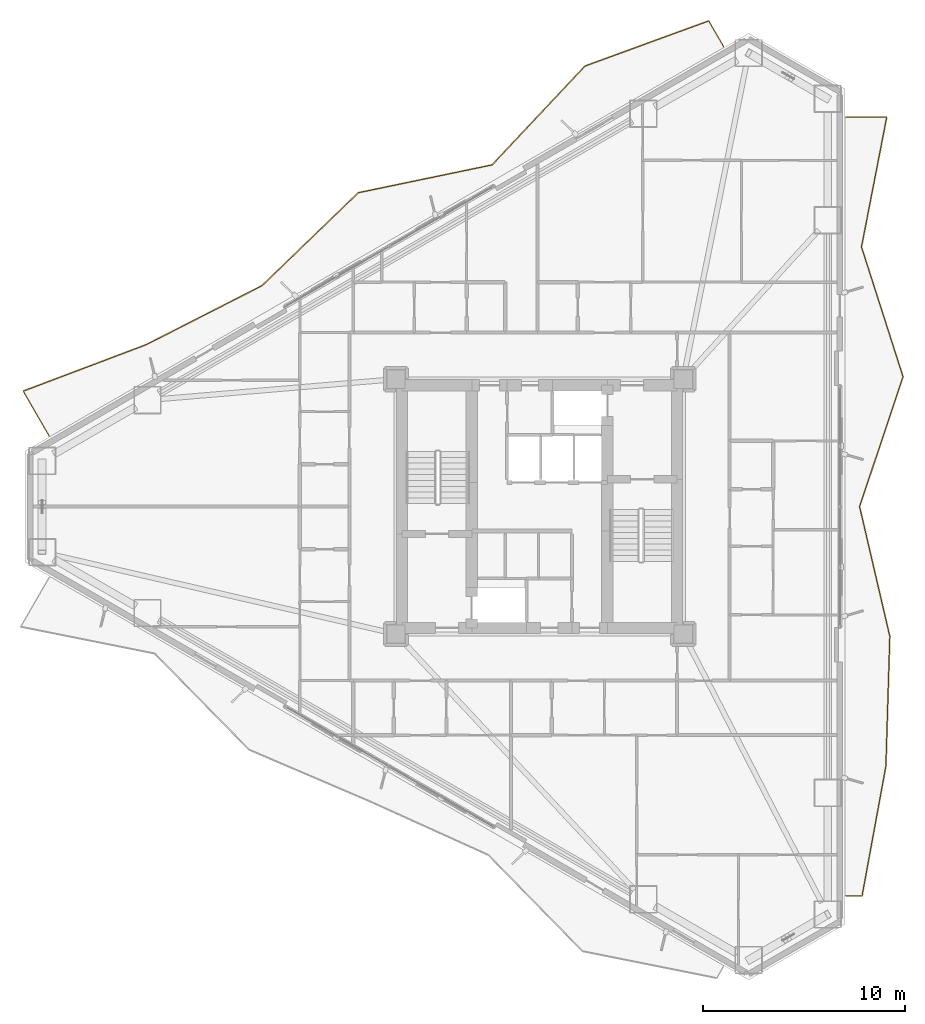
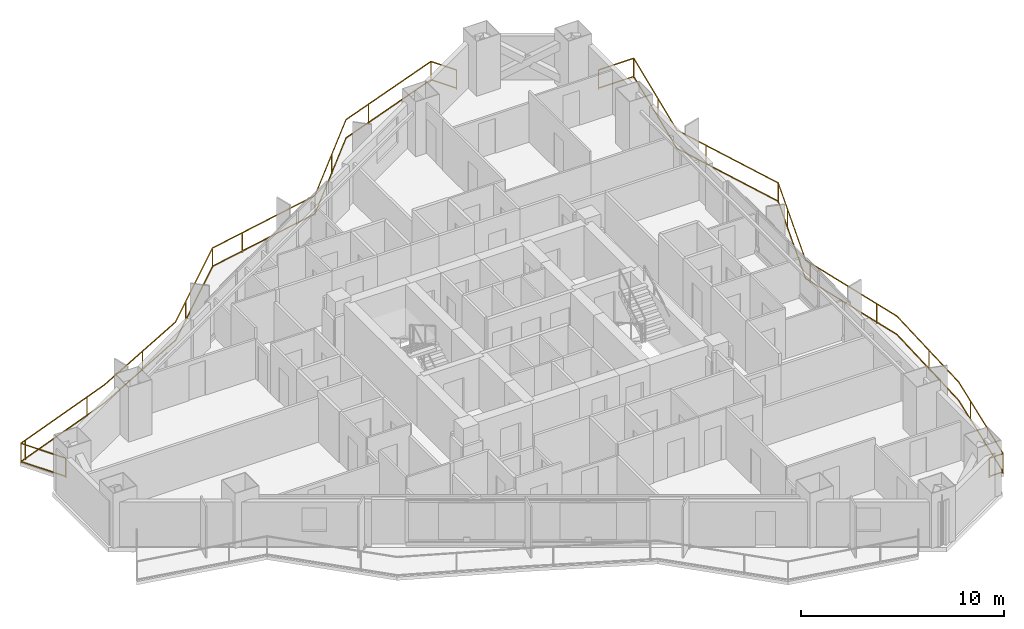
# One storey, part 18 of 18: 2 railings.
"""IFC4 building model written with IfcOpenShell, lengths in metres."""

from ifc_helpers import new_model, si_unit, direction, frame, origin, origin_2d, place, context, subcontext, project, spatial, rectangle, extrude, material, type_object, element, save


model = new_model("IFC4")

# Units and contexts
model_context = context("Model", 3, precision=1e-05, world=origin(), true_north=direction((0.0, 1.0)))
body_context = subcontext(model_context, "Body", "Model", "MODEL_VIEW")
ifc_project = project(units=[si_unit("LENGTHUNIT", "METRE"), si_unit("AREAUNIT", "SQUARE_METRE"), si_unit("VOLUMEUNIT", "CUBIC_METRE"), si_unit("PLANEANGLEUNIT", "RADIAN"), si_unit("MASSUNIT", "GRAM", prefix="KILO")], contexts=[model_context])

# Site, building, storey
site_placement = place(None, origin())
site = spatial("IfcSite", under=ifc_project, at=site_placement, CompositionType="ELEMENT")
building_placement = place(site_placement, origin())
building = spatial("IfcBuilding", under=site, at=building_placement, Name="Mersakhor Tower and Convention Hall", CompositionType="ELEMENT")
storey_placement = place(building_placement, frame((0.0, 0.0, 35.699951171875)))
storey = spatial("IfcBuildingStorey", under=building, at=storey_placement, Name="L09", CompositionType="ELEMENT", Elevation=35.699951171875)

# Railings
ifc_material = material(Name="Powder-coated galvanised steel and laminated glass balustrade", Category="steel")
railing_type = type_object("IfcRailingType", Name="RL-BAL-1200", PredefinedType="BALUSTRADE", material=ifc_material)
railing_1_placement = place(storey_placement, frame((38.099609375, 49.497314453125, 0.0)))
element("IfcRailing", 1, at=railing_1_placement, inside=storey, type_object=railing_type, Name="L09 Sinusoidal Balcony Balustrade F1", PredefinedType="BALUSTRADE", context=body_context, shape_type="SweptSolid", body=[
    extrude(rectangle(XDim=0.048095703125, YDim=0.048095703125, at=origin_2d()), frame((0.0, 0.0, 1.17578125), z_axis=(-0.500040825947, 0.86600183163, 0.0), x_axis=(-0.86600183163, -0.500040825947, 0.0)), (0.0, 0.0, 1.0), 1.46044921875),
    extrude(rectangle(XDim=0.048095703125, YDim=0.048095703125, at=origin_2d()), frame((0.0, 0.0, 0.080078125), z_axis=(-0.500040825947, 0.86600183163, 0.0), x_axis=(-0.86600183163, -0.500040825947, 0.0)), (0.0, 0.0, 1.0), 1.46044921875),
    extrude(rectangle(XDim=0.048095703125, YDim=0.048095703125, at=origin_2d()), frame((-0.730224609375, 1.2646484375, 1.17578125), z_axis=(-0.939339692142, -0.342988254562, 0.0), x_axis=(0.342988254562, -0.939339692142, 0.0)), (0.0, 0.0, 1.0), 6.515869140625),
    extrude(rectangle(XDim=0.048095703125, YDim=0.048095703125, at=origin_2d()), frame((-0.730224609375, 1.2646484375, 0.080078125), z_axis=(-0.939339692142, -0.342988254562, 0.0), x_axis=(0.342988254562, -0.939339692142, 0.0)), (0.0, 0.0, 1.0), 6.515869140625),
    extrude(rectangle(XDim=0.048095703125, YDim=0.048095703125, at=origin_2d()), frame((-6.850830078125, -0.97021484375, 1.17578125), z_axis=(-0.684804430885, -0.728726897706, 0.0), x_axis=(0.728726897706, -0.684804430885, 0.0)), (0.0, 0.0, 1.0), 6.703369140625),
    extrude(rectangle(XDim=0.048095703125, YDim=0.048095703125, at=origin_2d()), frame((-6.850830078125, -0.97021484375, 0.080078125), z_axis=(-0.684804430885, -0.728726897706, 0.0), x_axis=(0.728726897706, -0.684804430885, 0.0)), (0.0, 0.0, 1.0), 6.703369140625),
    extrude(rectangle(XDim=0.048095703125, YDim=0.048095703125, at=origin_2d()), frame((-11.44140625, -5.855224609375, 1.17578125), z_axis=(-0.979044090287, -0.203648396197, 0.0), x_axis=(0.203648396197, -0.979044090287, 0.0)), (0.0, 0.0, 1.0), 6.7578125),
    extrude(rectangle(XDim=0.048095703125, YDim=0.048095703125, at=origin_2d()), frame((-11.44140625, -5.855224609375, 0.080078125), z_axis=(-0.979044090287, -0.203648396197, 0.0), x_axis=(0.203648396197, -0.979044090287, 0.0)), (0.0, 0.0, 1.0), 6.7578125),
    extrude(rectangle(XDim=0.048095703125, YDim=0.048095703125, at=origin_2d()), frame((-18.0576171875, -7.2314453125, 1.17578125), z_axis=(-0.719363300939, -0.694634034052, 0.0), x_axis=(0.694634034052, -0.719363300939, 0.0)), (0.0, 0.0, 1.0), 6.614501953125),
    extrude(rectangle(XDim=0.048095703125, YDim=0.048095703125, at=origin_2d()), frame((-18.0576171875, -7.2314453125, 0.080078125), z_axis=(-0.719363300939, -0.694634034052, 0.0), x_axis=(0.694634034052, -0.719363300939, 0.0)), (0.0, 0.0, 1.0), 6.614501953125),
    extrude(rectangle(XDim=0.048095703125, YDim=0.048095703125, at=origin_2d()), frame((-22.81591796875, -11.826171875, 1.17578125), z_axis=(-0.890997455867, -0.454008296882, 0.0), x_axis=(0.454008296882, -0.890997455867, 0.0)), (0.0, 0.0, 1.0), 6.426513671875),
    extrude(rectangle(XDim=0.048095703125, YDim=0.048095703125, at=origin_2d()), frame((-22.81591796875, -11.826171875, 0.080078125), z_axis=(-0.890997455867, -0.454008296882, 0.0), x_axis=(0.454008296882, -0.890997455867, 0.0)), (0.0, 0.0, 1.0), 6.426513671875),
    extrude(rectangle(XDim=0.048095703125, YDim=0.048095703125, at=origin_2d()), frame((-28.5419921875, -14.743896484375, 1.17578125), z_axis=(-0.93556802629, -0.35314652509, 0.0), x_axis=(0.35314652509, -0.93556802629, 0.0)), (0.0, 0.0, 1.0), 6.50390625),
    extrude(rectangle(XDim=0.048095703125, YDim=0.048095703125, at=origin_2d()), frame((-28.5419921875, -14.743896484375, 0.080078125), z_axis=(-0.93556802629, -0.35314652509, 0.0), x_axis=(0.35314652509, -0.93556802629, 0.0)), (0.0, 0.0, 1.0), 6.50390625),
    extrude(rectangle(XDim=0.048095703125, YDim=0.048095703125, at=origin_2d()), frame((-34.626953125, -17.040771484375, 1.17578125), z_axis=(0.500022914263, -0.866012173824, 0.0), x_axis=(0.866012173824, 0.500022914263, 0.0)), (0.0, 0.0, 1.0), 2.5556640625),
    extrude(rectangle(XDim=0.048095703125, YDim=0.048095703125, at=origin_2d()), frame((-34.626953125, -17.040771484375, 0.080078125), z_axis=(0.500022914263, -0.866012173824, 0.0), x_axis=(0.866012173824, 0.500022914263, 0.0)), (0.0, 0.0, 1.0), 2.5556640625),
    extrude(rectangle(XDim=0.0419921875, YDim=0.0419921875, at=origin_2d()), origin(), (0.0, 0.0, 1.0), 1.15185546875),
    extrude(rectangle(XDim=0.0419921875, YDim=0.0419921875, at=origin_2d()), frame((-0.730224609375, 1.2646484375, 0.0)), (0.0, 0.0, 1.0), 1.15185546875),
    extrude(rectangle(XDim=0.0419921875, YDim=0.0419921875, at=origin_2d()), frame((-5.239013671875, -0.381591796875, 0.0)), (0.0, 0.0, 1.0), 1.15185546875),
    extrude(rectangle(XDim=0.0419921875, YDim=0.0419921875, at=origin_2d()), frame((-8.962890625, -3.2177734375, 0.0)), (0.0, 0.0, 1.0), 1.15185546875),
    extrude(rectangle(XDim=0.0419921875, YDim=0.0419921875, at=origin_2d()), frame((-11.44140625, -5.855224609375, 0.0)), (0.0, 0.0, 1.0), 1.15185546875),
    extrude(rectangle(XDim=0.0419921875, YDim=0.0419921875, at=origin_2d()), frame((-16.140869140625, -6.832763671875, 0.0)), (0.0, 0.0, 1.0), 1.15185546875),
    extrude(rectangle(XDim=0.0419921875, YDim=0.0419921875, at=origin_2d()), frame((-18.0576171875, -7.2314453125, 0.0)), (0.0, 0.0, 1.0), 1.15185546875),
    extrude(rectangle(XDim=0.0419921875, YDim=0.0419921875, at=origin_2d()), frame((-21.510498046875, -10.565673828125, 0.0)), (0.0, 0.0, 1.0), 1.15185546875),
    extrude(rectangle(XDim=0.0419921875, YDim=0.0419921875, at=origin_2d()), frame((-25.475830078125, -13.181640625, 0.0)), (0.0, 0.0, 1.0), 1.15185546875),
    extrude(rectangle(XDim=0.0419921875, YDim=0.0419921875, at=origin_2d()), frame((-29.813232421875, -15.223876953125, 0.0)), (0.0, 0.0, 1.0), 1.15185546875),
    extrude(rectangle(XDim=0.0419921875, YDim=0.0419921875, at=origin_2d()), frame((-34.303955078125, -16.9189453125, 0.0)), (0.0, 0.0, 1.0), 1.15185546875),
    extrude(rectangle(XDim=0.0419921875, YDim=0.0419921875, at=origin_2d()), frame((-34.626953125, -17.040771484375, 0.0)), (0.0, 0.0, 1.0), 1.15185546875),
    extrude(rectangle(XDim=0.0419921875, YDim=0.0419921875, at=origin_2d()), frame((-33.34912109375, -19.25390625, 0.0)), (0.0, 0.0, 1.0), 1.15185546875),
])
railing_2_placement = place(storey_placement, frame((44.14990234375, 7.49609375, 0.0)))
element("IfcRailing", 2, at=railing_2_placement, inside=storey, type_object=railing_type, Name="L09 Sinusoidal Balcony Balustrade F2", PredefinedType="BALUSTRADE", context=body_context, shape_type="SweptSolid", body=[
    extrude(rectangle(XDim=0.048095703125, YDim=0.048095703125, at=origin_2d()), frame((0.0, 0.0, 1.17578125), z_axis=(1.0, 0.0, 0.0), x_axis=(0.0, 1.0, 0.0)), (0.0, 0.0, 1.0), 0.79296875),
    extrude(rectangle(XDim=0.048095703125, YDim=0.048095703125, at=origin_2d()), frame((0.0, 0.0, 0.080078125), z_axis=(1.0, 0.0, 0.0), x_axis=(0.0, 1.0, 0.0)), (0.0, 0.0, 1.0), 0.79296875),
    extrude(rectangle(XDim=0.048095703125, YDim=0.048095703125, at=origin_2d()), frame((0.79296875, 0.0, 1.17578125), z_axis=(0.180636747497, 0.983549879495, 0.0), x_axis=(-0.983549879495, 0.180636747497, 0.0)), (0.0, 0.0, 1.0), 6.525390625),
    extrude(rectangle(XDim=0.048095703125, YDim=0.048095703125, at=origin_2d()), frame((0.79296875, 0.0, 0.080078125), z_axis=(0.180636747497, 0.983549879495, 0.0), x_axis=(-0.983549879495, 0.180636747497, 0.0)), (0.0, 0.0, 1.0), 6.525390625),
    extrude(rectangle(XDim=0.048095703125, YDim=0.048095703125, at=origin_2d()), frame((1.9716796875, 6.41796875, 1.17578125), z_axis=(0.030190127599, 0.999544174209, 0.0), x_axis=(-0.999544174209, 0.030190127599, 0.0)), (0.0, 0.0, 1.0), 6.4208984375),
    extrude(rectangle(XDim=0.048095703125, YDim=0.048095703125, at=origin_2d()), frame((1.9716796875, 6.41796875, 0.080078125), z_axis=(0.030190127599, 0.999544174209, 0.0), x_axis=(-0.999544174209, 0.030190127599, 0.0)), (0.0, 0.0, 1.0), 6.4208984375),
    extrude(rectangle(XDim=0.048095703125, YDim=0.048095703125, at=origin_2d()), frame((2.16552734375, 12.8359375, 1.17578125), z_axis=(-0.226707217047, 0.973962955014, 0.0), x_axis=(-0.973962955014, -0.226707217047, 0.0)), (0.0, 0.0, 1.0), 6.589599609375),
    extrude(rectangle(XDim=0.048095703125, YDim=0.048095703125, at=origin_2d()), frame((2.16552734375, 12.8359375, 0.080078125), z_axis=(-0.226707217047, 0.973962955014, 0.0), x_axis=(-0.973962955014, -0.226707217047, 0.0)), (0.0, 0.0, 1.0), 6.589599609375),
    extrude(rectangle(XDim=0.048095703125, YDim=0.048095703125, at=origin_2d()), frame((0.671630859375, 19.25390625, 1.17578125), z_axis=(0.317439549849, 0.948278509823, 0.0), x_axis=(-0.948278509823, 0.317439549849, 0.0)), (0.0, 0.0, 1.0), 6.76806640625),
    extrude(rectangle(XDim=0.048095703125, YDim=0.048095703125, at=origin_2d()), frame((0.671630859375, 19.25390625, 0.080078125), z_axis=(0.317439549849, 0.948278509823, 0.0), x_axis=(-0.948278509823, 0.317439549849, 0.0)), (0.0, 0.0, 1.0), 6.76806640625),
    extrude(rectangle(XDim=0.048095703125, YDim=0.048095703125, at=origin_2d()), frame((2.820068359375, 25.671875, 1.17578125), z_axis=(-0.304934780955, 0.952373235325, 0.0), x_axis=(-0.952373235325, -0.304934780955, 0.0)), (0.0, 0.0, 1.0), 6.739013671875),
    extrude(rectangle(XDim=0.048095703125, YDim=0.048095703125, at=origin_2d()), frame((2.820068359375, 25.671875, 0.080078125), z_axis=(-0.304934780955, 0.952373235325, 0.0), x_axis=(-0.952373235325, -0.304934780955, 0.0)), (0.0, 0.0, 1.0), 6.739013671875),
    extrude(rectangle(XDim=0.048095703125, YDim=0.048095703125, at=origin_2d()), frame((0.76513671875, 32.08984375, 1.17578125), z_axis=(0.190885650335, 0.981612280127, 0.0), x_axis=(-0.981612280127, 0.190885650335, 0.0)), (0.0, 0.0, 1.0), 6.5380859375),
    extrude(rectangle(XDim=0.048095703125, YDim=0.048095703125, at=origin_2d()), frame((0.76513671875, 32.08984375, 0.080078125), z_axis=(0.190885650335, 0.981612280127, 0.0), x_axis=(-0.981612280127, 0.190885650335, 0.0)), (0.0, 0.0, 1.0), 6.5380859375),
    extrude(rectangle(XDim=0.048095703125, YDim=0.048095703125, at=origin_2d()), frame((2.01318359375, 38.5078125, 1.17578125), z_axis=(-1.0, 0.0, 0.0), x_axis=(0.0, -1.0, 0.0)), (0.0, 0.0, 1.0), 2.01318359375),
    extrude(rectangle(XDim=0.048095703125, YDim=0.048095703125, at=origin_2d()), frame((2.01318359375, 38.5078125, 0.080078125), z_axis=(-1.0, 0.0, 0.0), x_axis=(0.0, -1.0, 0.0)), (0.0, 0.0, 1.0), 2.01318359375),
    extrude(rectangle(XDim=0.0419921875, YDim=0.0419921875, at=origin_2d()), origin(), (0.0, 0.0, 1.0), 1.15185546875),
    extrude(rectangle(XDim=0.0419921875, YDim=0.0419921875, at=origin_2d()), frame((0.79296875, 0.0, 0.0)), (0.0, 0.0, 1.0), 1.15185546875),
    extrude(rectangle(XDim=0.0419921875, YDim=0.0419921875, at=origin_2d()), frame((1.659912109375, 4.720947265625, 0.0)), (0.0, 0.0, 1.0), 1.15185546875),
    extrude(rectangle(XDim=0.0419921875, YDim=0.0419921875, at=origin_2d()), frame((2.064453125, 9.4912109375, 0.0)), (0.0, 0.0, 1.0), 1.15185546875),
    extrude(rectangle(XDim=0.0419921875, YDim=0.0419921875, at=origin_2d()), frame((1.8359375, 14.251953125, 0.0)), (0.0, 0.0, 1.0), 1.15185546875),
    extrude(rectangle(XDim=0.0419921875, YDim=0.0419921875, at=origin_2d()), frame((0.747802734375, 18.927001953125, 0.0)), (0.0, 0.0, 1.0), 1.15185546875),
    extrude(rectangle(XDim=0.0419921875, YDim=0.0419921875, at=origin_2d()), frame((2.0888671875, 23.4873046875, 0.0)), (0.0, 0.0, 1.0), 1.15185546875),
    extrude(rectangle(XDim=0.0419921875, YDim=0.0419921875, at=origin_2d()), frame((2.820068359375, 25.671875, 0.0)), (0.0, 0.0, 1.0), 1.15185546875),
    extrude(rectangle(XDim=0.0419921875, YDim=0.0419921875, at=origin_2d()), frame((1.3564453125, 30.2431640625, 0.0)), (0.0, 0.0, 1.0), 1.15185546875),
    extrude(rectangle(XDim=0.0419921875, YDim=0.0419921875, at=origin_2d()), frame((1.311279296875, 34.898193359375, 0.0)), (0.0, 0.0, 1.0), 1.15185546875),
    extrude(rectangle(XDim=0.0419921875, YDim=0.0419921875, at=origin_2d()), frame((2.01318359375, 38.5078125, 0.0)), (0.0, 0.0, 1.0), 1.15185546875),
    extrude(rectangle(XDim=0.0419921875, YDim=0.0419921875, at=origin_2d()), frame((0.0, 38.5078125, 0.0)), (0.0, 0.0, 1.0), 1.15185546875),
])

save(model, "model.ifc")
